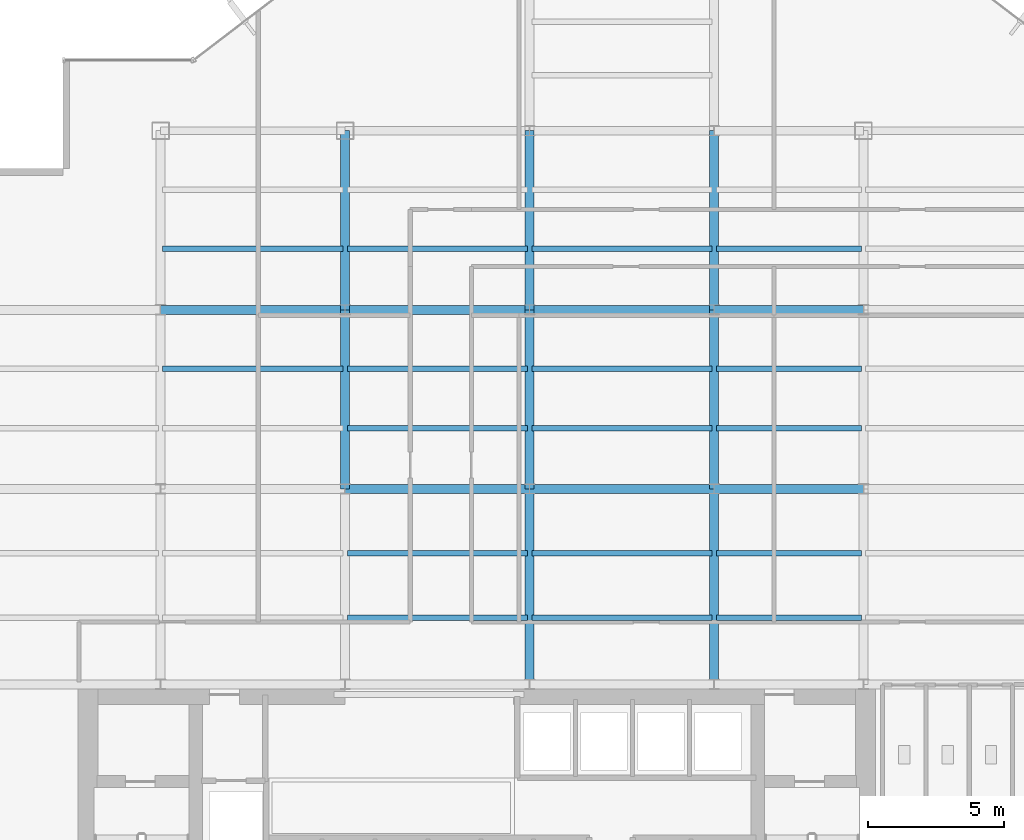
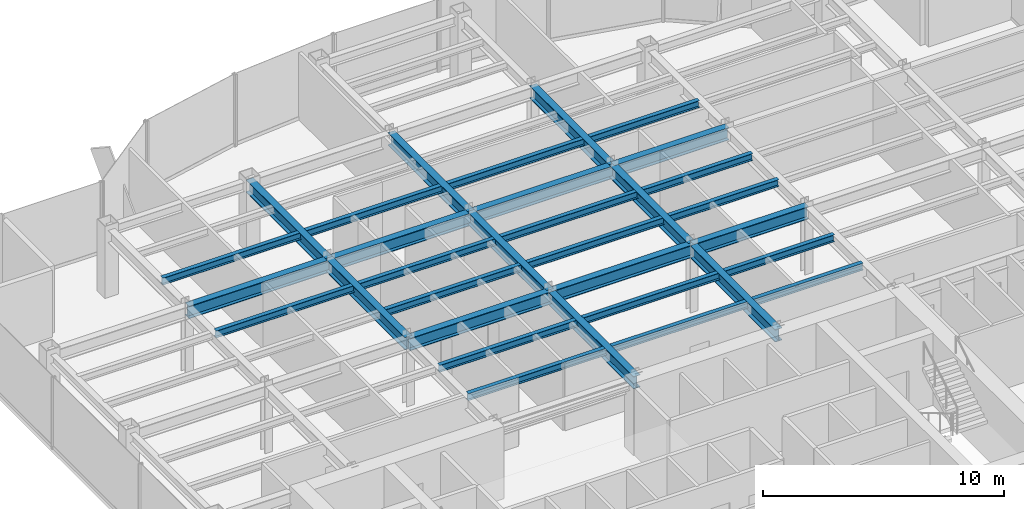
# One storey, part 8 of 25: 32 beams.
"""IFC4 building model written with IfcOpenShell, lengths in metres."""

from ifc_helpers import new_model, si_unit, derived_unit, direction, frame, origin, origin_2d, place, context, subcontext, project, spatial, i_section, extrude, source, transform, mapped, material, material_profile, profile_set, type_object, element, save


model = new_model("IFC4")

# Units and contexts
model_context = context("Model", 3, precision=1e-05, world=origin(), true_north=direction((0.0, 1.0)))
body_context = subcontext(model_context, "Body", "Model", "MODEL_VIEW")
ifc_project = project(units=[si_unit("LENGTHUNIT", "METRE"), si_unit("AREAUNIT", "SQUARE_METRE"), si_unit("VOLUMEUNIT", "CUBIC_METRE"), si_unit("PLANEANGLEUNIT", "RADIAN"), si_unit("MASSUNIT", "GRAM", prefix="KILO"), derived_unit("THERMALTRANSMITTANCEUNIT", [(si_unit("POWERUNIT", "WATT"), 1), (si_unit("LENGTHUNIT", "METRE"), -2), (si_unit("THERMODYNAMICTEMPERATUREUNIT", "KELVIN"), -1)])], contexts=[model_context])

# Site, building, storey
site_placement = place(None, origin())
site = spatial("IfcSite", under=ifc_project, at=site_placement, CompositionType="ELEMENT")
building_placement = place(site_placement, origin())
building = spatial("IfcBuilding", under=site, at=building_placement, Name="Skarnbrae Concourse Arena and Tower", CompositionType="ELEMENT")
storey_placement = place(building_placement, frame((0.0, 0.0, 158.85009765625)))
storey = spatial("IfcBuildingStorey", under=building, at=storey_placement, Name="L40", CompositionType="ELEMENT", Elevation=158.85009765625)

# Beams
ifc_material = material(Name="Steel CSA G40.21 350W", Category="steel")
ifc_material_profile_1 = material_profile(ifc_material, i_section(OverallWidth=0.3291015625, OverallDepth=0.635009765625, WebThickness=0.017822265625, FlangeThickness=0.031005859375, at=origin_2d()), Name="W610X241")
ifc_profile_set_1 = profile_set([ifc_material_profile_1], Name="Steel CSA G40.21 350W")
beam_type_1 = type_object("IfcBeamType", Name="BM-GIRD-W610X241", PredefinedType="BEAM", material=ifc_profile_set_1)
shared_shape_1 = source(origin(), body_context, "Body", "SweptSolid", [
    extrude(i_section(OverallWidth=0.3291015625, OverallDepth=0.635009765625, WebThickness=0.017822265625, FlangeThickness=0.031005859375, at=origin_2d()), origin(), (0.0, 0.0, 1.0), 6.60009765625),
])
for number, where, z_axis, x_axis, name in (
    (1, (14.39990234375, 21.199951171875, 3.08251953125), (0.0, 1.0, 0.0), (-1.0, 0.0, 0.0), "L40 Primary N-S girder X14.4-2"),
    (2, (21.199951171875, 21.199951171875, 3.08251953125), (0.0, 1.0, 0.0), (-1.0, 0.0, 0.0), "L40 Primary N-S girder X21.2-2"),
    (3, (28.0, 21.199951171875, 3.08251953125), (0.0, 1.0, 0.0), (-1.0, 0.0, 0.0), "L40 Primary N-S girder X28.0-2"),
):
    element("IfcBeam", number, at=place(storey_placement, frame(where, z_axis=z_axis, x_axis=x_axis)), inside=storey, type_object=beam_type_1, Name=name, PredefinedType="BEAM", context=body_context, shape_type="MappedRepresentation", body=[
        mapped(shared_shape_1, transform((0.0, 0.0, 0.0))),
    ])
shared_shape_2 = source(origin(), body_context, "Body", "SweptSolid", [
    extrude(i_section(OverallWidth=0.3291015625, OverallDepth=0.635009765625, WebThickness=0.017822265625, FlangeThickness=0.031005859375, at=origin_2d()), origin(), (0.0, 0.0, 1.0), 6.7998046875),
])
beam_placement = place(storey_placement, frame((7.60009765625, 27.800048828125, 3.08251953125), z_axis=(1.0, 0.0, 0.0), x_axis=(0.0, 1.0, 0.0)))
element("IfcBeam", 4, at=beam_placement, inside=storey, type_object=beam_type_1, Name="L40 Primary E-W girder Y27.8-2", PredefinedType="BEAM", context=body_context, shape_type="MappedRepresentation", body=[
    mapped(shared_shape_2, transform((0.0, 0.0, 0.0))),
])
shared_shape_3 = source(origin(), body_context, "Body", "SweptSolid", [
    extrude(i_section(OverallWidth=0.3291015625, OverallDepth=0.635009765625, WebThickness=0.017822265625, FlangeThickness=0.031005859375, at=origin_2d()), origin(), (0.0, 0.0, 1.0), 6.800048828125),
])
for number, where, z_axis, x_axis, name in (
    (5, (14.39990234375, 21.199951171875, 3.08251953125), (1.0, 0.0, 0.0), (0.0, 1.0, 0.0), "L40 Primary E-W girder Y21.2-3"),
    (6, (21.199951171875, 21.199951171875, 3.08251953125), (1.0, 0.0, 0.0), (0.0, 1.0, 0.0), "L40 Primary E-W girder Y21.2-4"),
    (7, (14.39990234375, 27.800048828125, 3.08251953125), (1.0, 0.0, 0.0), (0.0, 1.0, 0.0), "L40 Primary E-W girder Y27.8-3"),
    (8, (21.199951171875, 27.800048828125, 3.08251953125), (1.0, 0.0, 0.0), (0.0, 1.0, 0.0), "L40 Primary E-W girder Y27.8-4"),
):
    element("IfcBeam", number, at=place(storey_placement, frame(where, z_axis=z_axis, x_axis=x_axis)), inside=storey, type_object=beam_type_1, Name=name, PredefinedType="BEAM", context=body_context, shape_type="MappedRepresentation", body=[
        mapped(shared_shape_3, transform((0.0, 0.0, 0.0))),
    ])
shared_shape_4 = source(origin(), body_context, "Body", "SweptSolid", [
    extrude(i_section(OverallWidth=0.3291015625, OverallDepth=0.635009765625, WebThickness=0.017822265625, FlangeThickness=0.031005859375, at=origin_2d()), origin(), (0.0, 0.0, 1.0), 5.5),
])
for number, where, z_axis, x_axis, name in (
    (9, (28.0, 21.199951171875, 3.08251953125), (1.0, 0.0, 0.0), (0.0, 1.0, 0.0), "L40 Primary E-W girder Y21.2-5"),
    (10, (28.0, 27.800048828125, 3.08251953125), (1.0, 0.0, 0.0), (0.0, 1.0, 0.0), "L40 Primary E-W girder Y27.8-5"),
):
    element("IfcBeam", number, at=place(storey_placement, frame(where, z_axis=z_axis, x_axis=x_axis)), inside=storey, type_object=beam_type_1, Name=name, PredefinedType="BEAM", context=body_context, shape_type="MappedRepresentation", body=[
        mapped(shared_shape_4, transform((0.0, 0.0, 0.0))),
    ])
shared_shape_5 = source(origin(), body_context, "Body", "SweptSolid", [
    extrude(i_section(OverallWidth=0.3291015625, OverallDepth=0.635009765625, WebThickness=0.017822265625, FlangeThickness=0.031005859375, at=origin_2d()), origin(), (0.0, 0.0, 1.0), 7.199951171875),
])
for number, where, z_axis, x_axis, name in (
    (11, (21.199951171875, 14.0, 3.08251953125), (0.0, 1.0, 0.0), (-1.0, 0.0, 0.0), "L40 Primary N-S girder X21.2-1"),
    (12, (28.0, 14.0, 3.08251953125), (0.0, 1.0, 0.0), (-1.0, 0.0, 0.0), "L40 Primary N-S girder X28.0-1"),
):
    element("IfcBeam", number, at=place(storey_placement, frame(where, z_axis=z_axis, x_axis=x_axis)), inside=storey, type_object=beam_type_1, Name=name, PredefinedType="BEAM", context=body_context, shape_type="MappedRepresentation", body=[
        mapped(shared_shape_5, transform((0.0, 0.0, 0.0))),
    ])
shared_shape_6 = source(origin(), body_context, "Body", "SweptSolid", [
    extrude(i_section(OverallWidth=0.3291015625, OverallDepth=0.635009765625, WebThickness=0.017822265625, FlangeThickness=0.031005859375, at=origin_2d()), origin(), (0.0, 0.0, 1.0), 6.599853515625),
])
for number, where, z_axis, x_axis, name in (
    (13, (14.39990234375, 27.800048828125, 3.08251953125), (0.0, 1.0, 0.0), (-1.0, 0.0, 0.0), "L40 Primary N-S girder X14.4-3"),
    (14, (21.199951171875, 27.800048828125, 3.08251953125), (0.0, 1.0, 0.0), (-1.0, 0.0, 0.0), "L40 Primary N-S girder X21.2-3"),
    (15, (28.0, 27.800048828125, 3.08251953125), (0.0, 1.0, 0.0), (-1.0, 0.0, 0.0), "L40 Primary N-S girder X28.0-3"),
):
    element("IfcBeam", number, at=place(storey_placement, frame(where, z_axis=z_axis, x_axis=x_axis)), inside=storey, type_object=beam_type_1, Name=name, PredefinedType="BEAM", context=body_context, shape_type="MappedRepresentation", body=[
        mapped(shared_shape_6, transform((0.0, 0.0, 0.0))),
    ])
ifc_material_profile_2 = material_profile(ifc_material, i_section(OverallWidth=0.205078125, OverallDepth=0.35400390625, WebThickness=0.009521484375, FlangeThickness=0.016845703125, at=origin_2d()), Name="W360X79")
ifc_profile_set_2 = profile_set([ifc_material_profile_2], Name="Steel CSA G40.21 350W")
beam_type_2 = type_object("IfcBeamType", Name="BM-JOIST-W360X79", PredefinedType="JOIST", material=ifc_profile_set_2)
shared_shape_7 = source(origin(), body_context, "Body", "SweptSolid", [
    extrude(i_section(OverallWidth=0.205078125, OverallDepth=0.35400390625, WebThickness=0.009521484375, FlangeThickness=0.016845703125, at=origin_2d()), origin(), (0.0, 0.0, 1.0), 6.64013671875),
])
for number, where, z_axis, x_axis, name in (
    (16, (14.47998046875, 16.447998046875, 3.222900390625), (1.0, 0.0, 0.0), (0.0, 1.0, 0.0), "L40 Secondary floor joist 1.1.3"),
    (17, (14.47998046875, 18.823974609375, 3.222900390625), (1.0, 0.0, 0.0), (0.0, 1.0, 0.0), "L40 Secondary floor joist 1.2.3"),
    (18, (14.47998046875, 23.444091796875, 3.222900390625), (1.0, 0.0, 0.0), (0.0, 1.0, 0.0), "L40 Secondary floor joist 2.1.3"),
    (19, (7.679931640625, 25.6220703125, 3.222900390625), (1.0, 0.0, 0.0), (0.0, 1.0, 0.0), "L40 Secondary floor joist 2.2.2"),
    (20, (14.47998046875, 25.6220703125, 3.222900390625), (1.0, 0.0, 0.0), (0.0, 1.0, 0.0), "L40 Secondary floor joist 2.2.3"),
    (21, (7.679931640625, 30.0439453125, 3.222900390625), (1.0, 0.0, 0.0), (0.0, 1.0, 0.0), "L40 Secondary floor joist 3.1.1"),
    (22, (14.47998046875, 30.0439453125, 3.222900390625), (1.0, 0.0, 0.0), (0.0, 1.0, 0.0), "L40 Secondary floor joist 3.1.2"),
):
    element("IfcBeam", number, at=place(storey_placement, frame(where, z_axis=z_axis, x_axis=x_axis)), inside=storey, type_object=beam_type_2, Name=name, PredefinedType="JOIST", context=body_context, shape_type="MappedRepresentation", body=[
        mapped(shared_shape_7, transform((0.0, 0.0, 0.0))),
    ])
shared_shape_8 = source(origin(), body_context, "Body", "SweptSolid", [
    extrude(i_section(OverallWidth=0.205078125, OverallDepth=0.35400390625, WebThickness=0.009521484375, FlangeThickness=0.016845703125, at=origin_2d()), origin(), (0.0, 0.0, 1.0), 6.639892578125),
])
for number, where, z_axis, x_axis, name in (
    (23, (21.280029296875, 16.447998046875, 3.222900390625), (1.0, 0.0, 0.0), (0.0, 1.0, 0.0), "L40 Secondary floor joist 1.1.4"),
    (24, (21.280029296875, 18.823974609375, 3.222900390625), (1.0, 0.0, 0.0), (0.0, 1.0, 0.0), "L40 Secondary floor joist 1.2.4"),
    (25, (21.280029296875, 23.444091796875, 3.222900390625), (1.0, 0.0, 0.0), (0.0, 1.0, 0.0), "L40 Secondary floor joist 2.1.4"),
    (26, (21.280029296875, 25.6220703125, 3.222900390625), (1.0, 0.0, 0.0), (0.0, 1.0, 0.0), "L40 Secondary floor joist 2.2.4"),
    (27, (21.280029296875, 30.0439453125, 3.222900390625), (1.0, 0.0, 0.0), (0.0, 1.0, 0.0), "L40 Secondary floor joist 3.1.3"),
):
    element("IfcBeam", number, at=place(storey_placement, frame(where, z_axis=z_axis, x_axis=x_axis)), inside=storey, type_object=beam_type_2, Name=name, PredefinedType="JOIST", context=body_context, shape_type="MappedRepresentation", body=[
        mapped(shared_shape_8, transform((0.0, 0.0, 0.0))),
    ])
shared_shape_9 = source(origin(), body_context, "Body", "SweptSolid", [
    extrude(i_section(OverallWidth=0.205078125, OverallDepth=0.35400390625, WebThickness=0.009521484375, FlangeThickness=0.016845703125, at=origin_2d()), origin(), (0.0, 0.0, 1.0), 5.33984375),
])
for number, where, z_axis, x_axis, name in (
    (28, (28.080078125, 16.447998046875, 3.222900390625), (1.0, 0.0, 0.0), (0.0, 1.0, 0.0), "L40 Secondary floor joist 1.1.5"),
    (29, (28.080078125, 18.823974609375, 3.222900390625), (1.0, 0.0, 0.0), (0.0, 1.0, 0.0), "L40 Secondary floor joist 1.2.5"),
    (30, (28.080078125, 23.444091796875, 3.222900390625), (1.0, 0.0, 0.0), (0.0, 1.0, 0.0), "L40 Secondary floor joist 2.1.5"),
    (31, (28.080078125, 25.6220703125, 3.222900390625), (1.0, 0.0, 0.0), (0.0, 1.0, 0.0), "L40 Secondary floor joist 2.2.5"),
    (32, (28.080078125, 30.0439453125, 3.222900390625), (1.0, 0.0, 0.0), (0.0, 1.0, 0.0), "L40 Secondary floor joist 3.1.4"),
):
    element("IfcBeam", number, at=place(storey_placement, frame(where, z_axis=z_axis, x_axis=x_axis)), inside=storey, type_object=beam_type_2, Name=name, PredefinedType="JOIST", context=body_context, shape_type="MappedRepresentation", body=[
        mapped(shared_shape_9, transform((0.0, 0.0, 0.0))),
    ])

save(model, "model.ifc")
